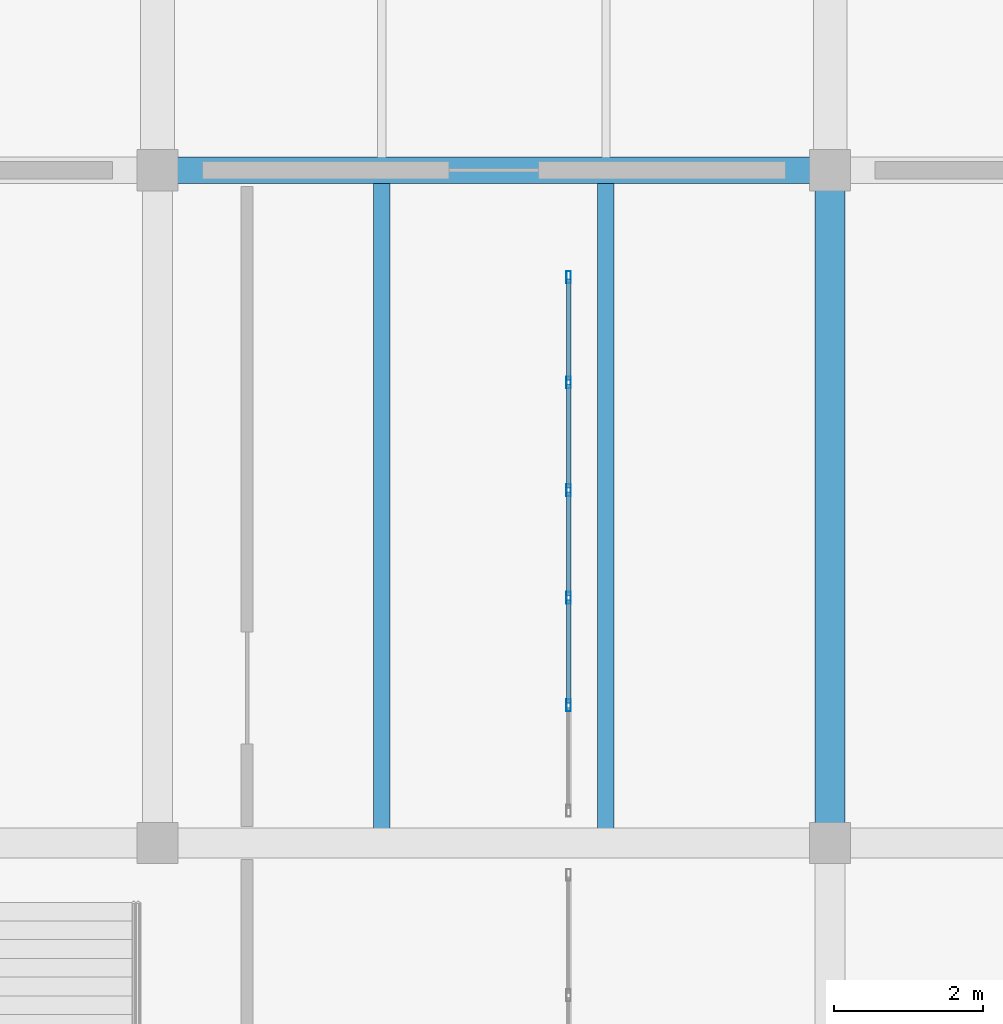
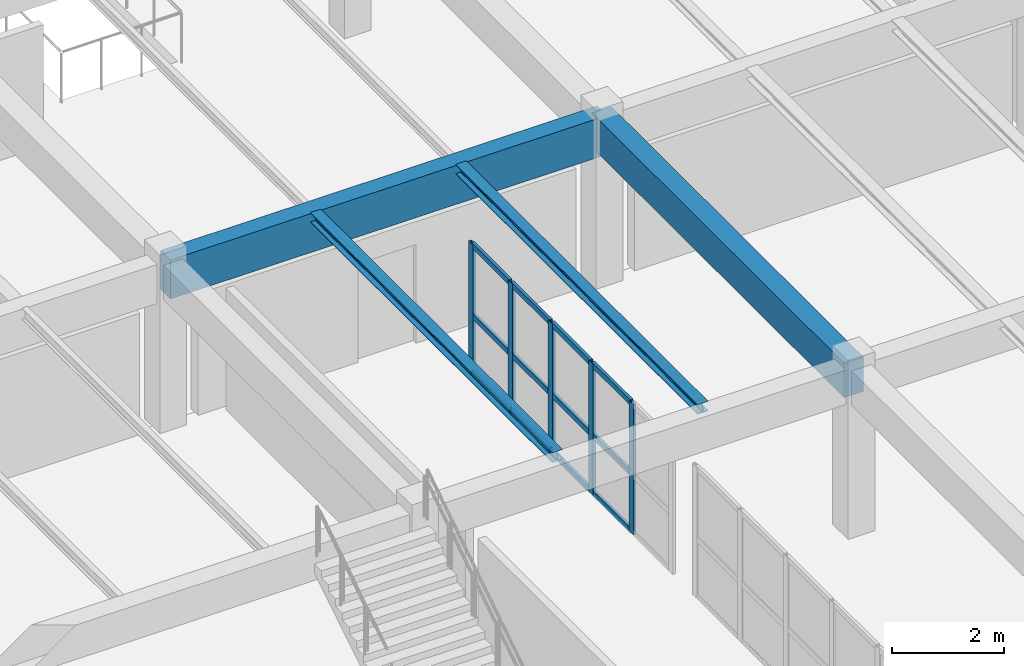
# One storey, part 89 of 156: 17 members, 4 beams, 1 element without a shape of its own.
"""IFC4 building model written with IfcOpenShell, lengths in metres."""

from ifc_helpers import new_model, si_unit, direction, frame, origin, origin_2d, place, context, subcontext, project, spatial, rectangle, hollow_rectangle, i_section, extrude, material, layer, layer_set, material_profile, profile_set, type_object, element, aggregate, save


model = new_model("IFC4")

# Units and contexts
model_context = context("Model", 3, precision=1e-05, world=origin(), true_north=direction((0.0, 1.0)))
body_context = subcontext(model_context, "Body", "Model", "MODEL_VIEW")
ifc_project = project(units=[si_unit("LENGTHUNIT", "METRE"), si_unit("AREAUNIT", "SQUARE_METRE"), si_unit("VOLUMEUNIT", "CUBIC_METRE"), si_unit("PLANEANGLEUNIT", "RADIAN"), si_unit("MASSUNIT", "GRAM", prefix="KILO")], contexts=[model_context])

# Site, building, storey
site_placement = place(None, origin())
site = spatial("IfcSite", under=ifc_project, at=site_placement, CompositionType="ELEMENT")
building_placement = place(site_placement, origin())
building = spatial("IfcBuilding", under=site, at=building_placement, Name="Ornek Quay Market", CompositionType="ELEMENT")
storey_placement = place(building_placement, frame((0.0, 0.0, 4.5)))
storey = spatial("IfcBuildingStorey", under=building, at=storey_placement, Name="L01", CompositionType="ELEMENT", Elevation=4.5)

# Beams
ifc_material_1 = material(Name="Concrete C35/45", Category="concrete")
ifc_material_profile_1 = material_profile(ifc_material_1, rectangle(XDim=0.39990234375, YDim=0.75, at=origin_2d()), Name="RC 400x750", Category="concrete")
ifc_profile_set_1 = profile_set([ifc_material_profile_1], Name="Concrete C35/45")
beam_type_1 = type_object("IfcBeamType", Name="BM-CS-400x750", PredefinedType="BEAM", material=ifc_profile_set_1)
beam_1_placement = place(storey_placement, frame((171.0, 56.0, 3.27490234375), z_axis=(0.0, 1.0, 0.0), x_axis=(-1.0, 0.0, 0.0)))
element("IfcBeam", 1, at=beam_1_placement, inside=storey, type_object=beam_type_1, Name="Primary beam B-CS1-053", PredefinedType="BEAM", context=body_context, shape_type="SweptSolid", body=[
    extrude(rectangle(XDim=0.39990234375, YDim=0.75, at=origin_2d()), origin(), (0.0, 0.0, 1.0), 9.0),
])
ifc_material_2 = material(Name="Concrete C40/50", Category="concrete")
ifc_material_profile_2 = material_profile(ifc_material_2, rectangle(XDim=0.35009765625, YDim=0.85009765625, at=origin_2d()), Name="RC 350x850", Category="concrete")
ifc_profile_set_2 = profile_set([ifc_material_profile_2], Name="Concrete C40/50")
beam_type_2 = type_object("IfcBeamType", Name="BM-SPN-350x850", PredefinedType="SPANDREL", material=ifc_profile_set_2)
beam_2_placement = place(storey_placement, frame((162.0, 65.0, 3.205078125), z_axis=(1.0, 0.0, 0.0), x_axis=(0.0, 1.0, 0.0)))
element("IfcBeam", 2, at=beam_2_placement, inside=storey, type_object=beam_type_2, Name="Primary beam B-SP1-102", PredefinedType="SPANDREL", context=body_context, shape_type="SweptSolid", body=[
    extrude(rectangle(XDim=0.35009765625, YDim=0.85009765625, at=origin_2d()), origin(), (0.0, 0.0, 1.0), 9.0),
])
ifc_material_3 = material(Name="Steel S355", Category="steel")
ifc_material_profile_3 = material_profile(ifc_material_3, i_section(OverallWidth=0.219970703125, OverallDepth=0.2099609375, WebThickness=0.007080078125, FlangeThickness=0.010986328125, FilletRadius=0.01806640625, at=origin_2d()), Name="HEA 220", Category="steel")
ifc_profile_set_3 = profile_set([ifc_material_profile_3], Name="Steel S355")
beam_type_3 = type_object("IfcBeamType", Name="BM-STL-HEA220", PredefinedType="BEAM", material=ifc_profile_set_3)
for number, where, z_axis, x_axis, name in (
    (3, (165.0, 56.19189453125, 3.544921875), (0.0, 1.0, 0.0), (-1.0, 0.0, 0.0), "Secondary joist SB-13-027"),
    (4, (168.0, 56.19189453125, 3.544921875), (0.0, 1.0, 0.0), (-1.0, 0.0, 0.0), "Secondary joist SB-13-028"),
):
    element("IfcBeam", number, at=place(storey_placement, frame(where, z_axis=z_axis, x_axis=x_axis)), inside=storey, type_object=beam_type_3, Name=name, PredefinedType="BEAM", context=body_context, shape_type="SweptSolid", body=[
        extrude(i_section(OverallWidth=0.219970703125, OverallDepth=0.2099609375, WebThickness=0.007080078125, FlangeThickness=0.010986328125, FilletRadius=0.01806640625, at=origin_2d()), origin(), (0.0, 0.0, 1.0), 8.64111328125),
    ])

# Curtain wall, members
ifc_material_4 = material(Name="Anodised bronze aluminium and triple low-e glass", Category="aluminium")
ifc_layer = layer(ifc_material_4, 0.139892578125, Name="Anodised bronze aluminium and triple low-e glass", Category="aluminium")
ifc_layer_set = layer_set([ifc_layer], Name="Anodised bronze aluminium and triple low-e glass")
curtain_wall_type = type_object("IfcCurtainWallType", Name="CW-GALLERY-INT", PredefinedType="USERDEFINED", material=ifc_layer_set)
curtain_wall_placement = place(storey_placement, origin())
curtain_wall = element("IfcCurtainWall", 5, at=curtain_wall_placement, inside=storey, type_object=curtain_wall_type, Name="Curtain wall CW-166", ObjectType="CURTAIN WALL", PredefinedType="USERDEFINED")
ifc_material_5 = material(Name="Anodised aluminium 6063-T6", Category="aluminium")
ifc_material_profile_4 = material_profile(ifc_material_5, hollow_rectangle(XDim=0.06005859375, YDim=0.159912109375, WallThickness=0.00390625, at=origin_2d()), Name="CW-MUL-60x160", Category="aluminium")
ifc_profile_set_4 = profile_set([ifc_material_profile_4], Name="Anodised aluminium 6063-T6")
member_type_1 = type_object("IfcMemberType", Name="CW-MUL-60x160", PredefinedType="MULLION", material=ifc_profile_set_4)
member_1_placement = place(storey_placement, frame((167.5, 57.840087890625, 0.0), z_axis=(0.0, 0.0, 1.0), x_axis=(-1.0, 0.0, 0.0)))
member_1 = element("IfcMember", 6, at=member_1_placement, type_object=member_type_1, Name="CW-166 mullion 2", PredefinedType="MULLION", context=body_context, shape_type="SweptSolid", body=[
    extrude(hollow_rectangle(XDim=0.06005859375, YDim=0.159912109375, WallThickness=0.00390625, at=origin_2d()), origin(), (0.0, 0.0, 1.0), 2.85009765625),
])
member_2_placement = place(storey_placement, frame((167.5, 59.280029296875, 0.0), z_axis=(0.0, 0.0, 1.0), x_axis=(-1.0, 0.0, 0.0)))
member_2 = element("IfcMember", 7, at=member_2_placement, type_object=member_type_1, Name="CW-166 mullion 3", PredefinedType="MULLION", context=body_context, shape_type="SweptSolid", body=[
    extrude(hollow_rectangle(XDim=0.06005859375, YDim=0.159912109375, WallThickness=0.00390625, at=origin_2d()), origin(), (0.0, 0.0, 1.0), 2.85009765625),
])
member_3_placement = place(storey_placement, frame((167.5, 60.719970703125, 0.0), z_axis=(0.0, 0.0, 1.0), x_axis=(-1.0, 0.0, 0.0)))
member_3 = element("IfcMember", 8, at=member_3_placement, type_object=member_type_1, Name="CW-166 mullion 4", PredefinedType="MULLION", context=body_context, shape_type="SweptSolid", body=[
    extrude(hollow_rectangle(XDim=0.06005859375, YDim=0.159912109375, WallThickness=0.00390625, at=origin_2d()), origin(), (0.0, 0.0, 1.0), 2.85009765625),
])
member_4_placement = place(storey_placement, frame((167.5, 62.159912109375, 0.0), z_axis=(0.0, 0.0, 1.0), x_axis=(-1.0, 0.0, 0.0)))
member_4 = element("IfcMember", 9, at=member_4_placement, type_object=member_type_1, Name="CW-166 mullion 5", PredefinedType="MULLION", context=body_context, shape_type="SweptSolid", body=[
    extrude(hollow_rectangle(XDim=0.06005859375, YDim=0.159912109375, WallThickness=0.00390625, at=origin_2d()), origin(), (0.0, 0.0, 1.0), 2.85009765625),
])
member_5_placement = place(storey_placement, frame((167.5, 63.570068359375, 0.0), z_axis=(0.0, 0.0, 1.0), x_axis=(-1.0, 0.0, 0.0)))
member_5 = element("IfcMember", 10, at=member_5_placement, type_object=member_type_1, Name="CW-166 mullion 6", PredefinedType="MULLION", context=body_context, shape_type="SweptSolid", body=[
    extrude(hollow_rectangle(XDim=0.06005859375, YDim=0.159912109375, WallThickness=0.00390625, at=origin_2d()), origin(), (0.0, 0.0, 1.0), 2.85009765625),
])
ifc_material_profile_5 = material_profile(ifc_material_5, hollow_rectangle(XDim=0.06005859375, YDim=0.1201171875, WallThickness=0.00390625, at=origin_2d()), Name="CW-TRN-60x120", Category="aluminium")
ifc_profile_set_5 = profile_set([ifc_material_profile_5], Name="Anodised aluminium 6063-T6")
member_type_2 = type_object("IfcMemberType", Name="CW-TRN-60x120", PredefinedType="USERDEFINED", material=ifc_profile_set_5)
member_6_placement = place(storey_placement, frame((167.5, 57.8701171875, 0.030029296875), z_axis=(0.0, 1.0, 0.0), x_axis=(-1.0, 0.0, 0.0)))
member_6 = element("IfcMember", 11, at=member_6_placement, type_object=member_type_2, Name="CW-166 transom 2.1", ObjectType="TRANSOM", PredefinedType="USERDEFINED", context=body_context, shape_type="SweptSolid", body=[
    extrude(hollow_rectangle(XDim=0.06005859375, YDim=0.1201171875, WallThickness=0.00390625, at=origin_2d()), origin(), (0.0, 0.0, 1.0), 1.3798828125),
])
member_7_placement = place(storey_placement, frame((167.5, 57.8701171875, 1.282470703125), z_axis=(0.0, 1.0, 0.0), x_axis=(-1.0, 0.0, 0.0)))
member_7 = element("IfcMember", 12, at=member_7_placement, type_object=member_type_2, Name="CW-166 transom 2.2", ObjectType="TRANSOM", PredefinedType="USERDEFINED", context=body_context, shape_type="SweptSolid", body=[
    extrude(hollow_rectangle(XDim=0.06005859375, YDim=0.1201171875, WallThickness=0.00390625, at=origin_2d()), origin(), (0.0, 0.0, 1.0), 1.3798828125),
])
member_8_placement = place(storey_placement, frame((167.5, 57.8701171875, 2.820068359375), z_axis=(0.0, 1.0, 0.0), x_axis=(-1.0, 0.0, 0.0)))
member_8 = element("IfcMember", 13, at=member_8_placement, type_object=member_type_2, Name="CW-166 transom 2.3", ObjectType="TRANSOM", PredefinedType="USERDEFINED", context=body_context, shape_type="SweptSolid", body=[
    extrude(hollow_rectangle(XDim=0.06005859375, YDim=0.1201171875, WallThickness=0.00390625, at=origin_2d()), origin(), (0.0, 0.0, 1.0), 1.3798828125),
])
member_9_placement = place(storey_placement, frame((167.5, 59.31005859375, 0.030029296875), z_axis=(0.0, 1.0, 0.0), x_axis=(-1.0, 0.0, 0.0)))
member_9 = element("IfcMember", 14, at=member_9_placement, type_object=member_type_2, Name="CW-166 transom 3.1", ObjectType="TRANSOM", PredefinedType="USERDEFINED", context=body_context, shape_type="SweptSolid", body=[
    extrude(hollow_rectangle(XDim=0.06005859375, YDim=0.1201171875, WallThickness=0.00390625, at=origin_2d()), origin(), (0.0, 0.0, 1.0), 1.3798828125),
])
member_10_placement = place(storey_placement, frame((167.5, 59.31005859375, 1.282470703125), z_axis=(0.0, 1.0, 0.0), x_axis=(-1.0, 0.0, 0.0)))
member_10 = element("IfcMember", 15, at=member_10_placement, type_object=member_type_2, Name="CW-166 transom 3.2", ObjectType="TRANSOM", PredefinedType="USERDEFINED", context=body_context, shape_type="SweptSolid", body=[
    extrude(hollow_rectangle(XDim=0.06005859375, YDim=0.1201171875, WallThickness=0.00390625, at=origin_2d()), origin(), (0.0, 0.0, 1.0), 1.3798828125),
])
member_11_placement = place(storey_placement, frame((167.5, 59.31005859375, 2.820068359375), z_axis=(0.0, 1.0, 0.0), x_axis=(-1.0, 0.0, 0.0)))
member_11 = element("IfcMember", 16, at=member_11_placement, type_object=member_type_2, Name="CW-166 transom 3.3", ObjectType="TRANSOM", PredefinedType="USERDEFINED", context=body_context, shape_type="SweptSolid", body=[
    extrude(hollow_rectangle(XDim=0.06005859375, YDim=0.1201171875, WallThickness=0.00390625, at=origin_2d()), origin(), (0.0, 0.0, 1.0), 1.3798828125),
])
member_12_placement = place(storey_placement, frame((167.5, 60.75, 0.030029296875), z_axis=(0.0, 1.0, 0.0), x_axis=(-1.0, 0.0, 0.0)))
member_12 = element("IfcMember", 17, at=member_12_placement, type_object=member_type_2, Name="CW-166 transom 4.1", ObjectType="TRANSOM", PredefinedType="USERDEFINED", context=body_context, shape_type="SweptSolid", body=[
    extrude(hollow_rectangle(XDim=0.06005859375, YDim=0.1201171875, WallThickness=0.00390625, at=origin_2d()), origin(), (0.0, 0.0, 1.0), 1.3798828125),
])
member_13_placement = place(storey_placement, frame((167.5, 60.75, 1.282470703125), z_axis=(0.0, 1.0, 0.0), x_axis=(-1.0, 0.0, 0.0)))
member_13 = element("IfcMember", 18, at=member_13_placement, type_object=member_type_2, Name="CW-166 transom 4.2", ObjectType="TRANSOM", PredefinedType="USERDEFINED", context=body_context, shape_type="SweptSolid", body=[
    extrude(hollow_rectangle(XDim=0.06005859375, YDim=0.1201171875, WallThickness=0.00390625, at=origin_2d()), origin(), (0.0, 0.0, 1.0), 1.3798828125),
])
member_14_placement = place(storey_placement, frame((167.5, 60.75, 2.820068359375), z_axis=(0.0, 1.0, 0.0), x_axis=(-1.0, 0.0, 0.0)))
member_14 = element("IfcMember", 19, at=member_14_placement, type_object=member_type_2, Name="CW-166 transom 4.3", ObjectType="TRANSOM", PredefinedType="USERDEFINED", context=body_context, shape_type="SweptSolid", body=[
    extrude(hollow_rectangle(XDim=0.06005859375, YDim=0.1201171875, WallThickness=0.00390625, at=origin_2d()), origin(), (0.0, 0.0, 1.0), 1.3798828125),
])
member_15_placement = place(storey_placement, frame((167.5, 62.18994140625, 0.030029296875), z_axis=(0.0, 1.0, 0.0), x_axis=(-1.0, 0.0, 0.0)))
member_15 = element("IfcMember", 20, at=member_15_placement, type_object=member_type_2, Name="CW-166 transom 5.1", ObjectType="TRANSOM", PredefinedType="USERDEFINED", context=body_context, shape_type="SweptSolid", body=[
    extrude(hollow_rectangle(XDim=0.06005859375, YDim=0.1201171875, WallThickness=0.00390625, at=origin_2d()), origin(), (0.0, 0.0, 1.0), 1.35009765625),
])
member_16_placement = place(storey_placement, frame((167.5, 62.18994140625, 1.282470703125), z_axis=(0.0, 1.0, 0.0), x_axis=(-1.0, 0.0, 0.0)))
member_16 = element("IfcMember", 21, at=member_16_placement, type_object=member_type_2, Name="CW-166 transom 5.2", ObjectType="TRANSOM", PredefinedType="USERDEFINED", context=body_context, shape_type="SweptSolid", body=[
    extrude(hollow_rectangle(XDim=0.06005859375, YDim=0.1201171875, WallThickness=0.00390625, at=origin_2d()), origin(), (0.0, 0.0, 1.0), 1.35009765625),
])
member_17_placement = place(storey_placement, frame((167.5, 62.18994140625, 2.820068359375), z_axis=(0.0, 1.0, 0.0), x_axis=(-1.0, 0.0, 0.0)))
member_17 = element("IfcMember", 22, at=member_17_placement, type_object=member_type_2, Name="CW-166 transom 5.3", ObjectType="TRANSOM", PredefinedType="USERDEFINED", context=body_context, shape_type="SweptSolid", body=[
    extrude(hollow_rectangle(XDim=0.06005859375, YDim=0.1201171875, WallThickness=0.00390625, at=origin_2d()), origin(), (0.0, 0.0, 1.0), 1.35009765625),
])
aggregate(curtain_wall, [member_1, member_2, member_3, member_4, member_5, member_6, member_7, member_8, member_9, member_10, member_11, member_12, member_13, member_14, member_15, member_16, member_17])

save(model, "model.ifc")
